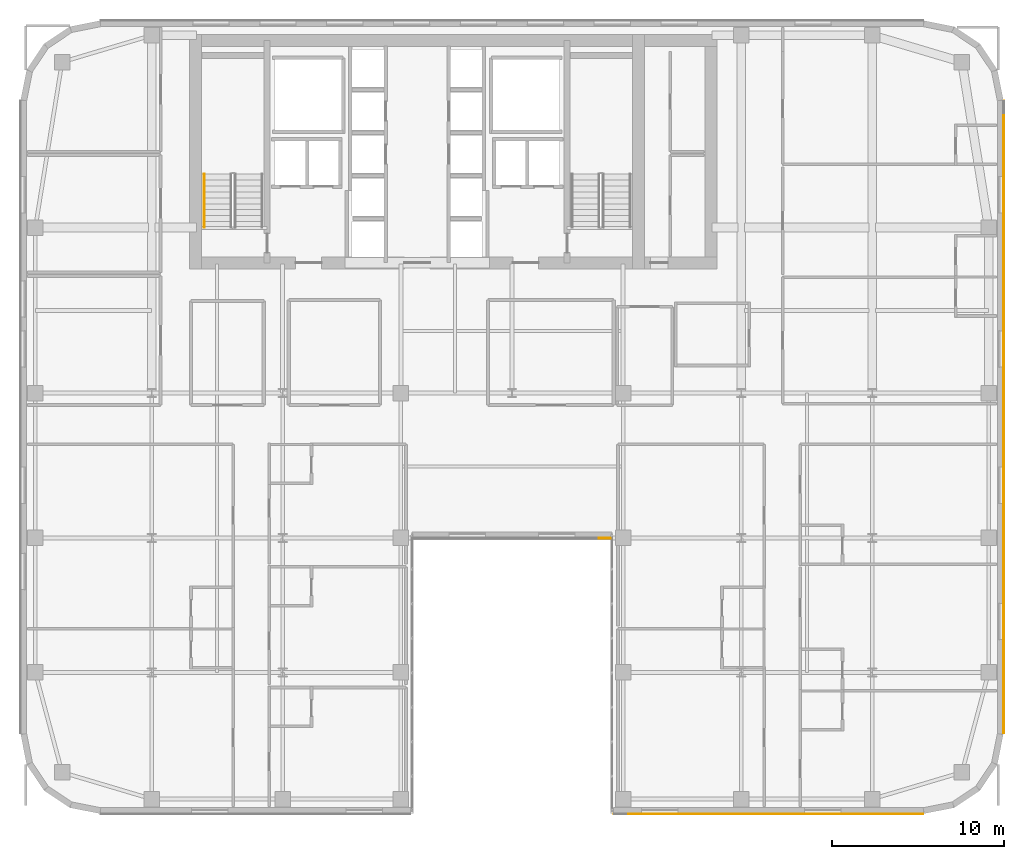
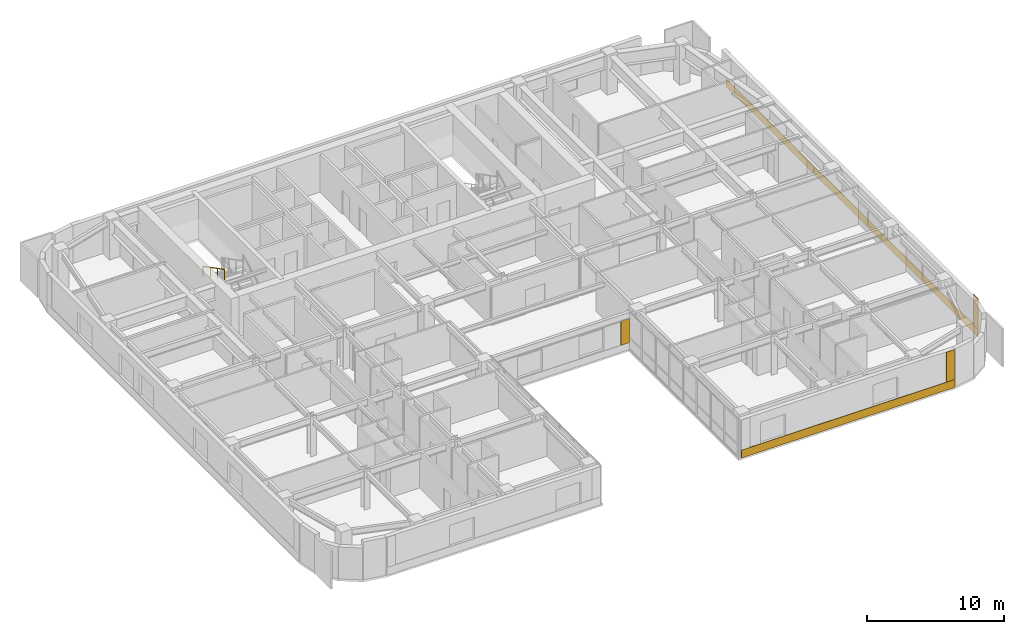
# One storey, part 21 of 24: 5 coverings, 1 railing.
"""IFC4 building model written with IfcOpenShell, lengths in metres."""

from ifc_helpers import new_model, si_unit, direction, frame, origin, origin_2d, place, context, subcontext, project, spatial, polyline, circle, outline, extrude, material, layer, layer_set, type_object, element, save


model = new_model("IFC4")

# Units and contexts
model_context = context("Model", 3, precision=1e-05, world=origin(), true_north=direction((0.0, 1.0)))
body_context = subcontext(model_context, "Body", "Model", "MODEL_VIEW")
ifc_project = project(units=[si_unit("LENGTHUNIT", "METRE"), si_unit("AREAUNIT", "SQUARE_METRE"), si_unit("VOLUMEUNIT", "CUBIC_METRE"), si_unit("PLANEANGLEUNIT", "RADIAN"), si_unit("MASSUNIT", "GRAM", prefix="KILO")], contexts=[model_context])

# Site, building, storey
site_placement = place(None, origin())
site = spatial("IfcSite", under=ifc_project, at=site_placement, CompositionType="ELEMENT")
building_placement = place(site_placement, origin())
building = spatial("IfcBuilding", under=site, at=building_placement, Name="Tolvann Quenvar Hotel", CompositionType="ELEMENT")
storey_placement = place(building_placement, frame((0.0, 0.0, 139.949951171875)))
storey = spatial("IfcBuildingStorey", under=building, at=storey_placement, Name="L36", CompositionType="ELEMENT", Elevation=139.949951171875)

# Coverings
ifc_material_1 = material(Name="Kiln-fired red architectural face brick cladding", Category="masonry")
ifc_layer_1 = layer(ifc_material_1, 0.0400390625)
ifc_layer_set_1 = layer_set([ifc_layer_1], Name="Kiln-fired red architectural face brick cladding")
covering_type_1 = type_object("IfcCoveringType", Name="COV_CLAD_BRICK_40", PredefinedType="CLADDING", material=ifc_layer_set_1)
covering_1_placement = place(storey_placement, frame((0.0, 0.0, 0.604736328125)))
element("IfcCovering", 1, at=covering_1_placement, inside=storey, type_object=covering_type_1, Name="Brick Pier Cladding (L36-E06-P2)", PredefinedType="CLADDING", context=body_context, shape_type="SweptSolid", body=[
    extrude(outline(polyline([(33.5400390625, 16.0), (34.239990234375, 16.0), (34.239990234375, 15.9599609375), (33.5400390625, 15.9599609375), (33.5400390625, 16.0)])), origin(), (0.0, 0.0, 1.0), 2.143310546875),
])
covering_2_placement = place(storey_placement, frame((0.0, 0.0, 0.699951171875)))
element("IfcCovering", 2, at=covering_2_placement, inside=storey, type_object=covering_type_1, Name="Brick Pier Cladding (L36-E08-P2)", PredefinedType="CLADDING", context=body_context, shape_type="SweptSolid", body=[
    extrude(outline(polyline([(51.6328125, 0.0), (52.332763671875, 0.0), (52.332763671875, -0.0400390625), (51.6328125, -0.0400390625), (51.6328125, 0.0)])), origin(), (0.0, 0.0, 1.0), 2.670166015625),
])
covering_3_placement = place(storey_placement, frame((0.0, 0.0, 0.699951171875)))
element("IfcCovering", 3, at=covering_3_placement, inside=storey, type_object=covering_type_1, Name="Brick Pier Cladding (L36-E13-P1)", PredefinedType="CLADDING", context=body_context, shape_type="SweptSolid", body=[
    extrude(outline(polyline([(57.0, 4.667236328125), (57.0, 5.3671875), (57.0400390625, 5.3671875), (57.0400390625, 4.667236328125), (57.0, 4.667236328125)])), origin(), (0.0, 0.0, 1.0), 2.670166015625),
])
ifc_material_2 = material(Name="Moulded buff architectural terracotta spandrel cladding", Category="masonry")
ifc_layer_2 = layer(ifc_material_2, 0.0400390625)
ifc_layer_set_2 = layer_set([ifc_layer_2], Name="Moulded buff architectural terracotta spandrel cladding")
covering_type_2 = type_object("IfcCoveringType", Name="COV_CLAD_TERRA_40", PredefinedType="CLADDING", material=ifc_layer_set_2)
covering_4_placement = place(storey_placement, origin())
element("IfcCovering", 4, at=covering_4_placement, inside=storey, type_object=covering_type_2, Name="Terracotta Spandrel Cladding (L36-E08)", PredefinedType="CLADDING", context=body_context, shape_type="SweptSolid", body=[
    extrude(outline(polyline([(34.4150390625, 0.0), (52.3427734375, 0.0), (52.3427734375, -0.0400390625), (34.4150390625, -0.0400390625), (34.4150390625, 0.0)])), origin(), (0.0, 0.0, 1.0), 0.699951171875),
])
covering_5_placement = place(storey_placement, origin())
element("IfcCovering", 5, at=covering_5_placement, inside=storey, type_object=covering_type_2, Name="Terracotta Spandrel Cladding (L36-E13)", PredefinedType="CLADDING", context=body_context, shape_type="SweptSolid", body=[
    extrude(outline(polyline([(57.0, 4.6572265625), (57.0, 41.3427734375), (57.0400390625, 41.3427734375), (57.0400390625, 4.6572265625), (57.0, 4.6572265625)])), origin(), (0.0, 0.0, 1.0), 0.699951171875),
])

# Railing
ifc_material_3 = material(Name="Brushed 316 stainless steel balustrade and handrail", Category="steel")
railing_type = type_object("IfcRailingType", Name="HANDRAIL", PredefinedType="HANDRAIL", material=ifc_material_3)
railing_placement = place(storey_placement, frame((10.64990234375, 37.10498046875, 1.95263671875)))
element("IfcRailing", 6, at=railing_placement, inside=storey, type_object=railing_type, Name="L36 ST-C1 stair handrail 2", PredefinedType="HANDRAIL", context=body_context, shape_type="SweptSolid", body=[
    extrude(circle(Radius=0.02392578125, at=origin_2d()), frame((0.0, 0.0, 0.8759765625), z_axis=(0.0, -0.889221982265, 0.45747597342), x_axis=(1.0, 0.0, 0.0)), (0.0, 0.0, 1.0), 3.49169921875),
    extrude(circle(Radius=0.02099609375, at=origin_2d()), origin(), (0.0, 0.0, 1.0), 0.851806640625),
    extrude(circle(Radius=0.02099609375, at=origin_2d()), frame((0.0, -1.034912109375, 0.532470703125)), (0.0, 0.0, 1.0), 0.851806640625),
    extrude(circle(Radius=0.02099609375, at=origin_2d()), frame((0.0, -2.070068359375, 1.06494140625)), (0.0, 0.0, 1.0), 0.851806640625),
    extrude(circle(Radius=0.02099609375, at=origin_2d()), frame((0.0, -3.10498046875, 1.597412109375)), (0.0, 0.0, 1.0), 0.851806640625),
])

save(model, "model.ifc")
